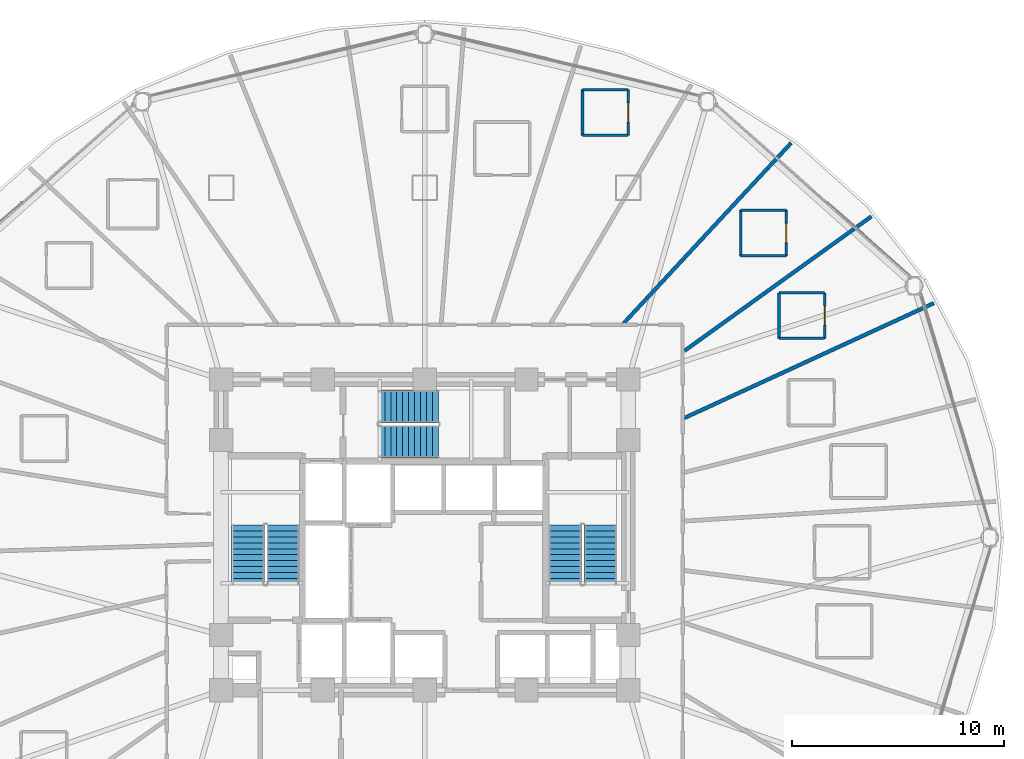
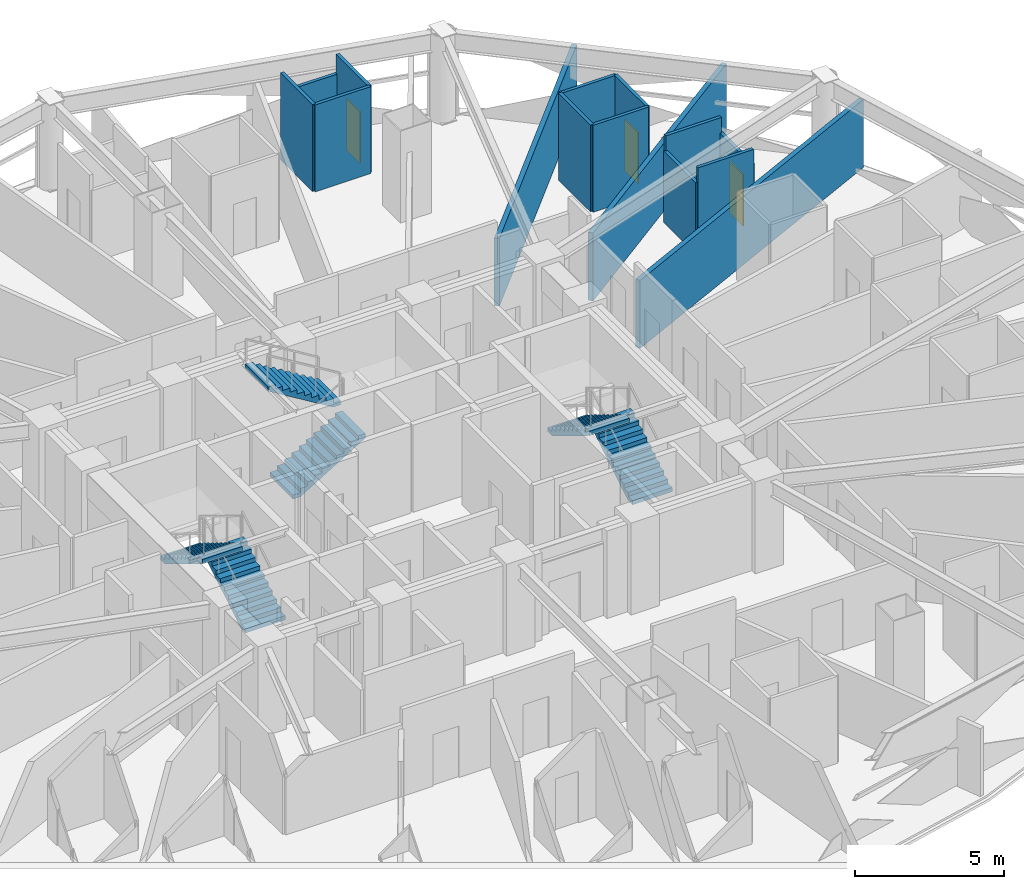
# One storey, part 28 of 32: 15 walls, 6 stair flights, 3 doors, 3 openings, 3 elements without a shape of their own.
"""IFC4 building model written with IfcOpenShell, lengths in metres."""

from ifc_helpers import new_model, si_unit, direction, frame, frame_2d, origin, place, context, subcontext, project, spatial, polyline, rectangle, outline, extrude, material, layer, layer_set, type_object, element, fill, aggregate, save


model = new_model("IFC4")

# Units and contexts
model_context = context("Model", 3, precision=1e-05, world=origin(), true_north=direction((0.0, 1.0)))
body_context = subcontext(model_context, "Body", "Model", "MODEL_VIEW")
ifc_project = project(units=[si_unit("LENGTHUNIT", "METRE"), si_unit("AREAUNIT", "SQUARE_METRE"), si_unit("VOLUMEUNIT", "CUBIC_METRE"), si_unit("PLANEANGLEUNIT", "RADIAN"), si_unit("MASSUNIT", "GRAM", prefix="KILO")], contexts=[model_context])

# Site, building, storey
site_placement = place(None, origin())
site = spatial("IfcSite", under=ifc_project, at=site_placement, CompositionType="ELEMENT")
building_placement = place(site_placement, origin())
building = spatial("IfcBuilding", under=site, at=building_placement, Name="Vantalir Tower", CompositionType="ELEMENT")
storey_placement = place(building_placement, frame((0.0, 0.0, 45.75)))
storey = spatial("IfcBuildingStorey", under=building, at=storey_placement, Name="L10", CompositionType="ELEMENT", Elevation=45.75)

# Walls
ifc_material_1 = material(Name="Moisture-resistant en-suite partition", Category="gypsum")
ifc_layer_1 = layer(ifc_material_1, 0.125)
ifc_layer_set_1 = layer_set([ifc_layer_1], Name="Moisture-resistant en-suite partition")
wall_type_1 = type_object("IfcWallType", Name="WL-BATH-125", PredefinedType="PARTITIONING", material=ifc_layer_set_1)
for number, where, z_axis, x_axis, name in (
    (1, (48.2080078125, 34.387939453125, 0.0), (0.0, 0.0, 1.0), (1.0, 0.0, 0.0), "L10 En-suite 03 South Wall"),
    (2, (48.2080078125, 36.5380859375, 0.0), (0.0, 0.0, 1.0), (1.0, 0.0, 0.0), "L10 En-suite 03 North Wall"),
):
    element("IfcWall", number, at=place(storey_placement, frame(where, z_axis=z_axis, x_axis=x_axis)), inside=storey, type_object=wall_type_1, Name=name, PredefinedType="PARTITIONING", context=body_context, shape_type="SweptSolid", body=[
        extrude(rectangle(XDim=2.14990234375, YDim=0.125, at=frame_2d((1.074951171875, 0.0))), origin(), (0.0, 0.0, 1.0), 3.550048828125),
    ])
wall_1_placement = place(storey_placement, frame((48.2080078125, 34.387939453125, 0.0), z_axis=(0.0, 0.0, 1.0), x_axis=(0.0, 1.0, 0.0)))
element("IfcWall", 3, at=wall_1_placement, inside=storey, type_object=wall_type_1, Name="L10 En-suite 03 West Wall", PredefinedType="PARTITIONING", context=body_context, shape_type="SweptSolid", body=[
    extrude(rectangle(XDim=2.150146484375, YDim=0.125, at=frame_2d((1.0751953125, 0.0))), origin(), (0.0, 0.0, 1.0), 2.927978515625),
])

# Wall, opening, door
wall_2_placement = place(storey_placement, frame((50.35791015625, 34.387939453125, 0.0), z_axis=(0.0, 0.0, 1.0), x_axis=(0.0, 1.0, 0.0)))
wall_2 = element("IfcWall", 4, at=wall_2_placement, inside=storey, type_object=wall_type_1, Name="L10 En-suite 03 East Wall", PredefinedType="PARTITIONING", context=body_context, shape_type="SweptSolid", body=[
    extrude(rectangle(XDim=2.150146484375, YDim=0.125, at=frame_2d((1.0751953125, 0.0))), origin(), (0.0, 0.0, 1.0), 2.927978515625),
])
opening_1_placement = place(wall_2_placement, frame((0.625, 0.0, 0.0)))
opening_1 = element("IfcOpeningElement", 5, at=opening_1_placement, cuts=wall_2, Name="Opening D-WC", PredefinedType="OPENING", context=body_context, shape_type="SweptSolid", body=[
    extrude(rectangle(XDim=0.89990234375, YDim=2.10009765625, at=frame_2d((0.449951171875, 1.050048828125))), frame((0.0, 0.072509765625, 0.0), z_axis=(0.0, -1.0, 0.0), x_axis=(1.0, 0.0, 0.0)), (0.0, 0.0, 1.0), 0.14501953125),
])
ifc_material_2 = material(Name="Moisture-resistant hardwood door", Category="wood")
door_type = type_object("IfcDoorType", Name="DR-ENSUITE-900", OperationType="NOTDEFINED", PredefinedType="DOOR", material=ifc_material_2)
door_1_placement = place(opening_1_placement, origin())
door_1 = element("IfcDoor", 6, at=door_1_placement, inside=storey, type_object=door_type, Name="L10 En-suite 03 Door", OperationType="SINGLE_SWING_RIGHT", OverallHeight=2.10009765625, OverallWidth=0.89990234375, PredefinedType="DOOR", context=body_context, shape_type="SweptSolid", body=[
    extrude(rectangle(XDim=0.89990234375, YDim=2.10009765625, at=frame_2d((0.449951171875, 1.050048828125))), frame((0.0, 0.02490234375, 0.0), z_axis=(0.0, -1.0, 0.0), x_axis=(1.0, 0.0, 0.0)), (0.0, 0.0, 1.0), 0.050048828125),
])
fill(opening_1, door_1)

# Walls
for number, where, z_axis, x_axis, name in (
    (7, (46.39794921875, 38.284912109375, 0.0), (0.0, 0.0, 1.0), (1.0, 0.0, 0.0), "L10 En-suite 04 South Wall"),
    (8, (46.39794921875, 40.43505859375, 0.0), (0.0, 0.0, 1.0), (1.0, 0.0, 0.0), "L10 En-suite 04 North Wall"),
    (9, (46.39794921875, 38.284912109375, 0.0), (0.0, 0.0, 1.0), (0.0, 1.0, 0.0), "L10 En-suite 04 West Wall"),
):
    element("IfcWall", number, at=place(storey_placement, frame(where, z_axis=z_axis, x_axis=x_axis)), inside=storey, type_object=wall_type_1, Name=name, PredefinedType="PARTITIONING", context=body_context, shape_type="SweptSolid", body=[
        extrude(rectangle(XDim=2.150146484375, YDim=0.125, at=frame_2d((1.0751953125, 0.0))), origin(), (0.0, 0.0, 1.0), 3.550048828125),
    ])

# Wall, opening, door
wall_3_placement = place(storey_placement, frame((48.548095703125, 38.284912109375, 0.0), z_axis=(0.0, 0.0, 1.0), x_axis=(0.0, 1.0, 0.0)))
wall_3 = element("IfcWall", 10, at=wall_3_placement, inside=storey, type_object=wall_type_1, Name="L10 En-suite 04 East Wall", PredefinedType="PARTITIONING", context=body_context, shape_type="SweptSolid", body=[
    extrude(rectangle(XDim=2.150146484375, YDim=0.125, at=frame_2d((1.0751953125, 0.0))), origin(), (0.0, 0.0, 1.0), 3.550048828125),
])
opening_2_placement = place(wall_3_placement, frame((0.625, 0.0, 0.0)))
opening_2 = element("IfcOpeningElement", 11, at=opening_2_placement, cuts=wall_3, Name="Opening D-WC", PredefinedType="OPENING", context=body_context, shape_type="SweptSolid", body=[
    extrude(rectangle(XDim=0.89990234375, YDim=2.10009765625, at=frame_2d((0.449951171875, 1.050048828125))), frame((0.0, 0.072509765625, 0.0), z_axis=(0.0, -1.0, 0.0), x_axis=(1.0, 0.0, 0.0)), (0.0, 0.0, 1.0), 0.14501953125),
])
door_2_placement = place(opening_2_placement, origin())
door_2 = element("IfcDoor", 12, at=door_2_placement, inside=storey, type_object=door_type, Name="L10 En-suite 04 Door", OperationType="SINGLE_SWING_LEFT", OverallHeight=2.10009765625, OverallWidth=0.89990234375, PredefinedType="DOOR", context=body_context, shape_type="SweptSolid", body=[
    extrude(rectangle(XDim=0.89990234375, YDim=2.10009765625, at=frame_2d((0.449951171875, 1.050048828125))), frame((0.0, 0.02490234375, 0.0), z_axis=(0.0, -1.0, 0.0), x_axis=(1.0, 0.0, 0.0)), (0.0, 0.0, 1.0), 0.050048828125),
])
fill(opening_2, door_2)

# Walls
wall_4_placement = place(storey_placement, frame((38.94091796875, 43.964111328125, 0.0), z_axis=(0.0, 0.0, 1.0), x_axis=(1.0, 0.0, 0.0)))
element("IfcWall", 13, at=wall_4_placement, inside=storey, type_object=wall_type_1, Name="L10 En-suite 06 South Wall", PredefinedType="PARTITIONING", context=body_context, shape_type="SweptSolid", body=[
    extrude(rectangle(XDim=2.150146484375, YDim=0.125, at=frame_2d((1.0751953125, 0.0))), origin(), (0.0, 0.0, 1.0), 3.550048828125),
])
wall_5_placement = place(storey_placement, frame((38.94091796875, 46.114013671875, 0.0), z_axis=(0.0, 0.0, 1.0), x_axis=(1.0, 0.0, 0.0)))
element("IfcWall", 14, at=wall_5_placement, inside=storey, type_object=wall_type_1, Name="L10 En-suite 06 North Wall", PredefinedType="PARTITIONING", context=body_context, shape_type="SweptSolid", body=[
    extrude(rectangle(XDim=2.150146484375, YDim=0.125, at=frame_2d((1.0751953125, 0.0))), origin(), (0.0, 0.0, 1.0), 2.77490234375),
])
wall_6_placement = place(storey_placement, frame((38.94091796875, 43.964111328125, 0.0), z_axis=(0.0, 0.0, 1.0), x_axis=(0.0, 1.0, 0.0)))
element("IfcWall", 15, at=wall_6_placement, inside=storey, type_object=wall_type_1, Name="L10 En-suite 06 West Wall", PredefinedType="PARTITIONING", context=body_context, shape_type="SweptSolid", body=[
    extrude(rectangle(XDim=2.14990234375, YDim=0.125, at=frame_2d((1.074951171875, 0.0))), origin(), (0.0, 0.0, 1.0), 3.550048828125),
])

# Wall, opening, door
wall_7_placement = place(storey_placement, frame((41.091064453125, 43.964111328125, 0.0), z_axis=(0.0, 0.0, 1.0), x_axis=(0.0, 1.0, 0.0)))
wall_7 = element("IfcWall", 16, at=wall_7_placement, inside=storey, type_object=wall_type_1, Name="L10 En-suite 06 East Wall", PredefinedType="PARTITIONING", context=body_context, shape_type="SweptSolid", body=[
    extrude(rectangle(XDim=2.14990234375, YDim=0.125, at=frame_2d((1.074951171875, 0.0))), origin(), (0.0, 0.0, 1.0), 3.550048828125),
])
opening_3_placement = place(wall_7_placement, frame((0.625, 0.0, 0.0)))
opening_3 = element("IfcOpeningElement", 17, at=opening_3_placement, cuts=wall_7, Name="Opening D-WC", PredefinedType="OPENING", context=body_context, shape_type="SweptSolid", body=[
    extrude(rectangle(XDim=0.89990234375, YDim=2.10009765625, at=frame_2d((0.449951171875, 1.050048828125))), frame((0.0, 0.072509765625, 0.0), z_axis=(0.0, -1.0, 0.0), x_axis=(1.0, 0.0, 0.0)), (0.0, 0.0, 1.0), 0.14501953125),
])
door_3_placement = place(opening_3_placement, origin())
door_3 = element("IfcDoor", 18, at=door_3_placement, inside=storey, type_object=door_type, Name="L10 En-suite 06 Door", OperationType="SINGLE_SWING_LEFT", OverallHeight=2.10009765625, OverallWidth=0.89990234375, PredefinedType="DOOR", context=body_context, shape_type="SweptSolid", body=[
    extrude(rectangle(XDim=0.89990234375, YDim=2.10009765625, at=frame_2d((0.449951171875, 1.050048828125))), frame((0.0, 0.02490234375, 0.0), z_axis=(0.0, -1.0, 0.0), x_axis=(1.0, 0.0, 0.0)), (0.0, 0.0, 1.0), 0.050048828125),
])
fill(opening_3, door_3)

# Walls
ifc_material_3 = material(Name="Twin-stud acoustic fire-rated gypsum partition", Category="gypsum")
ifc_layer_2 = layer(ifc_material_3, 0.179931640625)
ifc_layer_set_2 = layer_set([ifc_layer_2], Name="Twin-stud acoustic fire-rated gypsum partition")
wall_type_2 = type_object("IfcWallType", Name="WL-GUEST-180", PredefinedType="PARTITIONING", material=ifc_layer_set_2)
wall_8_placement = place(storey_placement, frame((43.7529296875, 30.639892578125, 0.0), z_axis=(0.0, 0.0, 1.0), x_axis=(0.908354532473, 0.418200960466, 0.0)))
element("IfcWall", 19, at=wall_8_placement, inside=storey, type_object=wall_type_2, Name="L10 Radial Suite Partition 03", PredefinedType="PARTITIONING", context=body_context, shape_type="SweptSolid", body=[
    extrude(rectangle(XDim=12.934326171875, YDim=0.179931640625, at=frame_2d((6.46728515625, 0.0))), origin(), (0.0, 0.0, 1.0), 2.77490234375),
])
wall_9_placement = place(storey_placement, frame((43.7529296875, 33.805908203125, 0.0), z_axis=(0.0, 0.0, 1.0), x_axis=(0.812000044836, 0.583657371397, 0.0)))
element("IfcWall", 20, at=wall_9_placement, inside=storey, type_object=wall_type_2, Name="L10 Radial Suite Partition 04", PredefinedType="PARTITIONING", context=body_context, shape_type="SweptSolid", body=[
    extrude(rectangle(XDim=10.852294921875, YDim=0.179931640625, at=frame_2d((5.42626953125, 0.0))), origin(), (0.0, 0.0, 1.0), 2.77490234375),
])
wall_10_placement = place(storey_placement, frame((40.882080078125, 35.10302734375, 0.0), z_axis=(0.0, 0.0, 1.0), x_axis=(0.680551186201, 0.732700541122, 0.0)))
element("IfcWall", 21, at=wall_10_placement, inside=storey, type_object=wall_type_2, Name="L10 Radial Suite Partition 05", PredefinedType="PARTITIONING", context=body_context, shape_type="SweptSolid", body=[
    extrude(rectangle(XDim=11.600830078125, YDim=0.179931640625, at=frame_2d((5.80029296875, 0.0))), origin(), (0.0, 0.0, 1.0), 2.77490234375),
])

# Stair, stair flights
ifc_material_4 = material(Name="Concrete C40/50", Category="concrete")
stair_type = type_object("IfcStairType", Name="STR-CORE-1450", PredefinedType="HALF_TURN_STAIR", material=ifc_material_4)
stair_1_placement = place(storey_placement, origin())
stair_1 = element("IfcStair", 22, at=stair_1_placement, inside=storey, type_object=stair_type, Name="L10 Core Exit Stair 1", PredefinedType="HALF_TURN_STAIR")
stair_flight_type = type_object("IfcStairFlightType", Name="FLT-CORE-1450", PredefinedType="STRAIGHT", material=ifc_material_4)
stair_flight_1_placement = place(storey_placement, frame((24.830078125, 22.7900390625, 0.0), z_axis=(0.0, 0.0, 1.0), x_axis=(0.0, 1.0, 0.0)))
stair_flight_1 = element("IfcStairFlight", 23, at=stair_flight_1_placement, type_object=stair_flight_type, Name="ST1 flight 1", NumberOfRisers=11, NumberOfTreads=10, PredefinedType="STRAIGHT", RiserHeight=0.170454545, TreadLength=0.28, context=body_context, shape_type="SweptSolid", body=[
    extrude(outline(polyline([(0.0, 0.0), (0.0, 0.17041015625), (0.280029296875, 0.17041015625), (0.280029296875, 0.3408203125), (0.56005859375, 0.3408203125), (0.56005859375, 0.511474609375), (0.840087890625, 0.511474609375), (0.840087890625, 0.681884765625), (1.1201171875, 0.681884765625), (1.1201171875, 0.852294921875), (1.39990234375, 0.852294921875), (1.39990234375, 1.022705078125), (1.679931640625, 1.022705078125), (1.679931640625, 1.193115234375), (1.9599609375, 1.193115234375), (1.9599609375, 1.363525390625), (2.239990234375, 1.363525390625), (2.239990234375, 1.5341796875), (2.52001953125, 1.5341796875), (2.52001953125, 1.70458984375), (2.800048828125, 1.70458984375), (2.800048828125, 1.875), (2.800048828125, 1.529052734375), (0.288330078125, 0.0), (0.0, 0.0)])), frame((0.0, 0.77001953125, 0.0), z_axis=(0.0, -1.0, 0.0), x_axis=(1.0, 0.0, 0.0)), (0.0, 0.0, 1.0), 1.5400390625),
])
stair_flight_2_placement = place(storey_placement, frame((23.169921875, 25.590087890625, 1.875), z_axis=(0.0, 0.0, 1.0), x_axis=(0.0, -1.0, 0.0)))
stair_flight_2 = element("IfcStairFlight", 24, at=stair_flight_2_placement, type_object=stair_flight_type, Name="ST1 flight 2", NumberOfRisers=11, NumberOfTreads=10, PredefinedType="STRAIGHT", RiserHeight=0.170454545, TreadLength=0.28, context=body_context, shape_type="SweptSolid", body=[
    extrude(outline(polyline([(0.0, 0.0), (0.0, 0.17041015625), (0.280029296875, 0.17041015625), (0.280029296875, 0.3408203125), (0.56005859375, 0.3408203125), (0.56005859375, 0.511474609375), (0.840087890625, 0.511474609375), (0.840087890625, 0.681884765625), (1.1201171875, 0.681884765625), (1.1201171875, 0.852294921875), (1.39990234375, 0.852294921875), (1.39990234375, 1.022705078125), (1.679931640625, 1.022705078125), (1.679931640625, 1.193115234375), (1.9599609375, 1.193115234375), (1.9599609375, 1.363525390625), (2.239990234375, 1.363525390625), (2.239990234375, 1.5341796875), (2.52001953125, 1.5341796875), (2.52001953125, 1.70458984375), (2.800048828125, 1.70458984375), (2.800048828125, 1.875), (2.800048828125, 1.529052734375), (0.288330078125, 0.0), (0.0, 0.0)])), frame((0.0, 0.77001953125, 0.0), z_axis=(0.0, -1.0, 0.0), x_axis=(1.0, 0.0, 0.0)), (0.0, 0.0, 1.0), 1.5400390625),
])
aggregate(stair_1, [stair_flight_1, stair_flight_2])

stair_2_placement = place(storey_placement, origin())
stair_2 = element("IfcStair", 25, at=stair_2_placement, inside=storey, type_object=stair_type, Name="L10 Core Exit Stair 2", PredefinedType="HALF_TURN_STAIR")
stair_flight_3_placement = place(storey_placement, frame((39.780029296875, 22.7900390625, 0.0), z_axis=(0.0, 0.0, 1.0), x_axis=(0.0, 1.0, 0.0)))
stair_flight_3 = element("IfcStairFlight", 26, at=stair_flight_3_placement, type_object=stair_flight_type, Name="ST2 flight 1", NumberOfRisers=11, NumberOfTreads=10, PredefinedType="STRAIGHT", RiserHeight=0.170454545, TreadLength=0.28, context=body_context, shape_type="SweptSolid", body=[
    extrude(outline(polyline([(0.0, 0.0), (0.0, 0.17041015625), (0.280029296875, 0.17041015625), (0.280029296875, 0.3408203125), (0.56005859375, 0.3408203125), (0.56005859375, 0.511474609375), (0.840087890625, 0.511474609375), (0.840087890625, 0.681884765625), (1.1201171875, 0.681884765625), (1.1201171875, 0.852294921875), (1.39990234375, 0.852294921875), (1.39990234375, 1.022705078125), (1.679931640625, 1.022705078125), (1.679931640625, 1.193115234375), (1.9599609375, 1.193115234375), (1.9599609375, 1.363525390625), (2.239990234375, 1.363525390625), (2.239990234375, 1.5341796875), (2.52001953125, 1.5341796875), (2.52001953125, 1.70458984375), (2.800048828125, 1.70458984375), (2.800048828125, 1.875), (2.800048828125, 1.529052734375), (0.288330078125, 0.0), (0.0, 0.0)])), frame((0.0, 0.77001953125, 0.0), z_axis=(0.0, -1.0, 0.0), x_axis=(1.0, 0.0, 0.0)), (0.0, 0.0, 1.0), 1.5400390625),
])
stair_flight_4_placement = place(storey_placement, frame((38.1201171875, 25.590087890625, 1.875), z_axis=(0.0, 0.0, 1.0), x_axis=(0.0, -1.0, 0.0)))
stair_flight_4 = element("IfcStairFlight", 27, at=stair_flight_4_placement, type_object=stair_flight_type, Name="ST2 flight 2", NumberOfRisers=11, NumberOfTreads=10, PredefinedType="STRAIGHT", RiserHeight=0.170454545, TreadLength=0.28, context=body_context, shape_type="SweptSolid", body=[
    extrude(outline(polyline([(0.0, 0.0), (0.0, 0.17041015625), (0.280029296875, 0.17041015625), (0.280029296875, 0.3408203125), (0.56005859375, 0.3408203125), (0.56005859375, 0.511474609375), (0.840087890625, 0.511474609375), (0.840087890625, 0.681884765625), (1.1201171875, 0.681884765625), (1.1201171875, 0.852294921875), (1.39990234375, 0.852294921875), (1.39990234375, 1.022705078125), (1.679931640625, 1.022705078125), (1.679931640625, 1.193115234375), (1.9599609375, 1.193115234375), (1.9599609375, 1.363525390625), (2.239990234375, 1.363525390625), (2.239990234375, 1.5341796875), (2.52001953125, 1.5341796875), (2.52001953125, 1.70458984375), (2.800048828125, 1.70458984375), (2.800048828125, 1.875), (2.800048828125, 1.529052734375), (0.288330078125, 0.0), (0.0, 0.0)])), frame((0.0, 0.77001953125, 0.0), z_axis=(0.0, -1.0, 0.0), x_axis=(1.0, 0.0, 0.0)), (0.0, 0.0, 1.0), 1.5400390625),
])
aggregate(stair_2, [stair_flight_3, stair_flight_4])

stair_3_placement = place(storey_placement, origin())
stair_3 = element("IfcStair", 28, at=stair_3_placement, inside=storey, type_object=stair_type, Name="L10 Core Exit Stair 3", PredefinedType="HALF_TURN_STAIR")
stair_flight_5_placement = place(storey_placement, frame((29.340087890625, 29.52001953125, 0.0), z_axis=(0.0, 0.0, 1.0), x_axis=(1.0, 0.0, 0.0)))
stair_flight_5 = element("IfcStairFlight", 29, at=stair_flight_5_placement, type_object=stair_flight_type, Name="ST3 flight 1", NumberOfRisers=11, NumberOfTreads=10, PredefinedType="STRAIGHT", RiserHeight=0.170454545, TreadLength=0.28, context=body_context, shape_type="SweptSolid", body=[
    extrude(outline(polyline([(0.0, 0.0), (0.0, 0.17041015625), (0.280029296875, 0.17041015625), (0.280029296875, 0.3408203125), (0.56005859375, 0.3408203125), (0.56005859375, 0.511474609375), (0.840087890625, 0.511474609375), (0.840087890625, 0.681884765625), (1.1201171875, 0.681884765625), (1.1201171875, 0.852294921875), (1.39990234375, 0.852294921875), (1.39990234375, 1.022705078125), (1.679931640625, 1.022705078125), (1.679931640625, 1.193115234375), (1.9599609375, 1.193115234375), (1.9599609375, 1.363525390625), (2.239990234375, 1.363525390625), (2.239990234375, 1.5341796875), (2.52001953125, 1.5341796875), (2.52001953125, 1.70458984375), (2.800048828125, 1.70458984375), (2.800048828125, 1.875), (2.800048828125, 1.529052734375), (0.288330078125, 0.0), (0.0, 0.0)])), frame((0.0, 0.77001953125, 0.0), z_axis=(0.0, -1.0, 0.0), x_axis=(1.0, 0.0, 0.0)), (0.0, 0.0, 1.0), 1.5400390625),
])
stair_flight_6_placement = place(storey_placement, frame((32.139892578125, 31.179931640625, 1.875), z_axis=(0.0, 0.0, 1.0), x_axis=(-1.0, 0.0, 0.0)))
stair_flight_6 = element("IfcStairFlight", 30, at=stair_flight_6_placement, type_object=stair_flight_type, Name="ST3 flight 2", NumberOfRisers=11, NumberOfTreads=10, PredefinedType="STRAIGHT", RiserHeight=0.170454545, TreadLength=0.28, context=body_context, shape_type="SweptSolid", body=[
    extrude(outline(polyline([(0.0, 0.0), (0.0, 0.17041015625), (0.280029296875, 0.17041015625), (0.280029296875, 0.3408203125), (0.56005859375, 0.3408203125), (0.56005859375, 0.511474609375), (0.840087890625, 0.511474609375), (0.840087890625, 0.681884765625), (1.1201171875, 0.681884765625), (1.1201171875, 0.852294921875), (1.39990234375, 0.852294921875), (1.39990234375, 1.022705078125), (1.679931640625, 1.022705078125), (1.679931640625, 1.193115234375), (1.9599609375, 1.193115234375), (1.9599609375, 1.363525390625), (2.239990234375, 1.363525390625), (2.239990234375, 1.5341796875), (2.52001953125, 1.5341796875), (2.52001953125, 1.70458984375), (2.800048828125, 1.70458984375), (2.800048828125, 1.875), (2.800048828125, 1.529052734375), (0.288330078125, 0.0), (0.0, 0.0)])), frame((0.0, 0.77001953125, 0.0), z_axis=(0.0, -1.0, 0.0), x_axis=(1.0, 0.0, 0.0)), (0.0, 0.0, 1.0), 1.5400390625),
])
aggregate(stair_3, [stair_flight_5, stair_flight_6])

save(model, "model.ifc")
